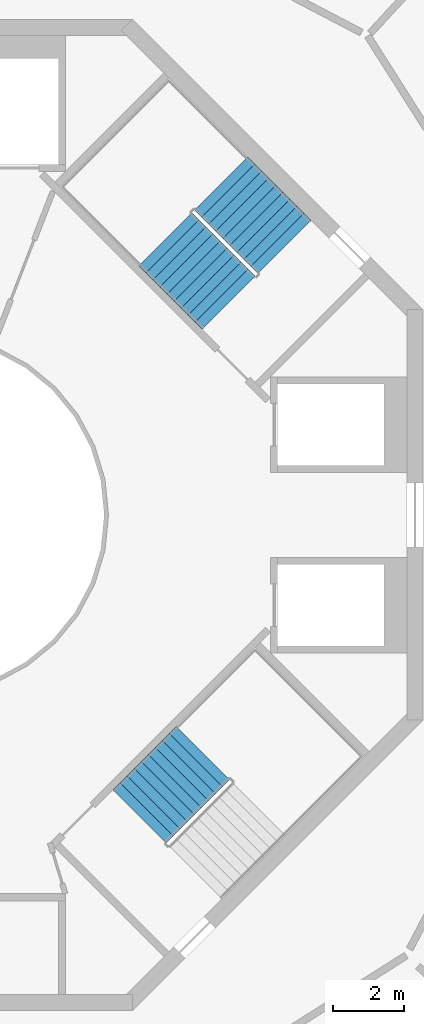
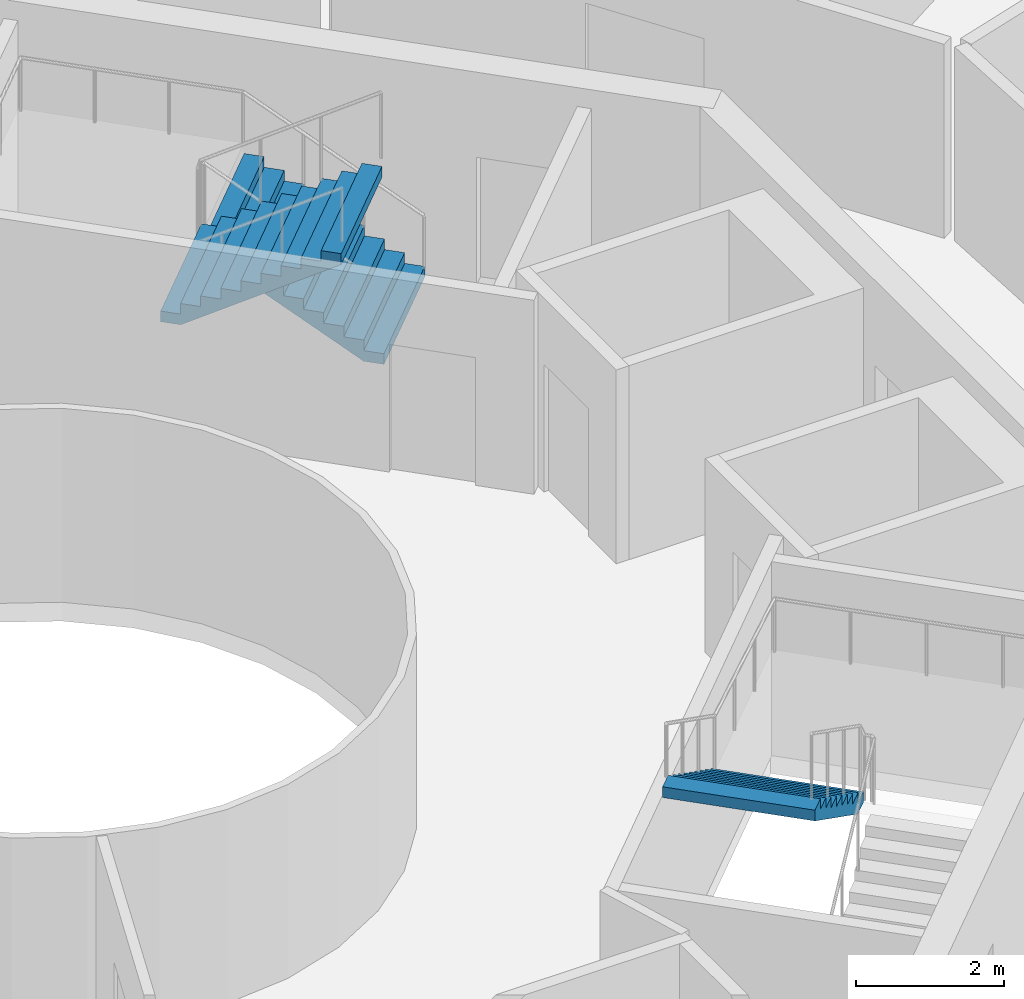
# One storey, part 22 of 23: 3 stair flights, 2 elements without a shape of their own.
"""IFC4 building model written with IfcOpenShell, lengths in metres."""

from ifc_helpers import new_model, si_unit, direction, frame, origin, place, context, subcontext, project, spatial, triangles, material, type_object, element, aggregate, save


model = new_model("IFC4")

# Units and contexts
model_context = context("Model", 3, precision=1e-05, world=origin(), true_north=direction((0.0, 1.0)))
body_context = subcontext(model_context, "Body", "Model", "MODEL_VIEW")
ifc_project = project(units=[si_unit("LENGTHUNIT", "METRE"), si_unit("AREAUNIT", "SQUARE_METRE"), si_unit("VOLUMEUNIT", "CUBIC_METRE"), si_unit("PLANEANGLEUNIT", "RADIAN"), si_unit("MASSUNIT", "GRAM", prefix="KILO")], contexts=[model_context])

# Site, building, storey
site_placement = place(None, origin())
site = spatial("IfcSite", under=ifc_project, at=site_placement, CompositionType="ELEMENT")
building_placement = place(site_placement, origin())
building = spatial("IfcBuilding", under=site, at=building_placement, Name="Verdalira Terraces Hotel", CompositionType="ELEMENT")
storey_placement = place(building_placement, frame((0.0, 0.0, 288.0)))
storey = spatial("IfcBuildingStorey", under=building, at=storey_placement, Name="L71", CompositionType="ELEMENT", Elevation=288.0)

# Stair, stair flights
ifc_material_1 = material(Name="Concrete C40", Category="concrete")
stair_type = type_object("IfcStairType", Name="Core stair 20 risers 2125 mm wide", PredefinedType="HALF_TURN_STAIR", material=ifc_material_1)
stair_1_placement = place(storey_placement, origin())
stair_1 = element("IfcStair", 1, at=stair_1_placement, inside=storey, type_object=stair_type, Name="L71 Exit stair ST1", PredefinedType="HALF_TURN_STAIR")
ifc_material_2 = material(Name="Concrete C40", Category="concrete")
stair_flight_type = type_object("IfcStairFlightType", Name="Core stair flight 20 risers 2125 mm wide", PredefinedType="STRAIGHT", material=ifc_material_2)
stair_flight_1_placement = place(storey_placement, frame((10.085205, 7.574951, 0.0), z_axis=(0.0, 0.0, 1.0), x_axis=(-0.707106781, 0.707106781, 0.0)))
stair_flight_1 = element("IfcStairFlight", 2, at=stair_flight_1_placement, type_object=stair_flight_type, Name="ST1 flight 1", NumberOfRisers=10, NumberOfTreads=9, PredefinedType="STRAIGHT", RiserHeight=0.175, TreadLength=0.28, context=body_context, shape_type="Tessellation", body=[
    triangles([(0.0, 1.0625, 0.0), (0.282715, 1.0625, 0.0), (2.52002, 1.0625, 1.398193), (0.0, -1.0625, 0.0), (0.282715, -1.0625, 0.0), (2.52002, -1.0625, 1.398193), (2.52002, 1.0625, 1.574951), (2.23999, 1.0625, 1.574951), (2.52002, -1.0625, 1.574951), (2.23999, -1.0625, 1.574951), (2.23999, 1.0625, 1.399902), (2.23999, -1.0625, 1.399902), (1.959961, 1.0625, 1.399902), (1.959961, -1.0625, 1.399902), (1.959961, 1.0625, 1.225098), (1.959961, -1.0625, 1.225098), (1.679932, 1.0625, 1.225098), (1.679932, 1.0625, 1.050049), (1.679932, -1.0625, 1.225098), (1.679932, -1.0625, 1.050049), (1.399902, 1.0625, 1.050049), (1.399902, 1.0625, 0.875), (1.399902, -1.0625, 1.050049), (1.399902, -1.0625, 0.875), (1.120117, 1.0625, 0.875), (1.120117, 1.0625, 0.699951), (1.120117, -1.0625, 0.875), (1.120117, -1.0625, 0.699951), (0.840088, 1.0625, 0.699951), (0.840088, 1.0625, 0.524902), (0.840088, -1.0625, 0.699951), (0.840088, -1.0625, 0.524902), (0.560059, 1.0625, 0.524902), (0.560059, 1.0625, 0.350098), (0.560059, -1.0625, 0.524902), (0.560059, -1.0625, 0.350098), (0.280029, 1.0625, 0.350098), (0.280029, 1.0625, 0.175049), (0.280029, -1.0625, 0.350098), (0.280029, -1.0625, 0.175049), (0.0, 1.0625, 0.175049), (0.0, -1.0625, 0.175049), (0.0, -0.996094, 0.0), (0.0, -0.996094, 0.175049), (0.0, -0.929688, 0.0), (0.0, -0.929688, 0.175049), (0.0, -0.863281, 0.0), (0.0, -0.863281, 0.175049), (0.0, -0.796875, 0.0), (0.0, -0.796875, 0.175049), (0.0, -0.730469, 0.0), (0.0, -0.730469, 0.175049), (0.0, -0.664062, 0.0), (0.0, -0.664062, 0.175049), (0.0, -0.597656, 0.0), (0.0, -0.597656, 0.175049), (0.0, -0.53125, 0.0), (0.0, -0.53125, 0.175049), (0.0, -0.464844, 0.0), (0.0, -0.464844, 0.175049), (0.0, -0.398438, 0.0), (0.0, -0.398438, 0.175049), (0.0, -0.332031, 0.0), (0.0, -0.332031, 0.175049), (0.0, -0.265625, 0.0), (0.0, -0.265625, 0.175049), (0.0, -0.199219, 0.0), (0.0, -0.199219, 0.175049), (0.0, -0.132812, 0.0), (0.0, -0.132812, 0.175049), (0.0, -0.066406, 0.0), (0.0, -0.066406, 0.175049), (0.0, 0.0, 0.0), (0.0, 0.0, 0.175049), (0.0, 0.066406, 0.0), (0.0, 0.066406, 0.175049), (0.0, 0.132812, 0.0), (0.0, 0.132812, 0.175049), (0.0, 0.199219, 0.0), (0.0, 0.199219, 0.175049), (0.0, 0.265625, 0.0), (0.0, 0.265625, 0.175049), (0.0, 0.332031, 0.0), (0.0, 0.332031, 0.175049), (0.0, 0.398438, 0.0), (0.0, 0.398438, 0.175049), (0.0, 0.464844, 0.0), (0.0, 0.464844, 0.175049), (0.0, 0.53125, 0.0), (0.0, 0.53125, 0.175049), (0.0, 0.597656, 0.0), (0.0, 0.597656, 0.175049), (0.0, 0.664062, 0.0), (0.0, 0.664062, 0.175049), (0.0, 0.730469, 0.0), (0.0, 0.730469, 0.175049), (0.0, 0.796875, 0.0), (0.0, 0.796875, 0.175049), (0.0, 0.863281, 0.0), (0.0, 0.863281, 0.175049), (0.0, 0.929688, 0.0), (0.0, 0.929688, 0.175049), (0.0, 0.996094, 0.0), (0.0, 0.996094, 0.175049), (2.52002, -0.996094, 1.574951), (2.52002, -0.929688, 1.574951), (2.52002, -0.863281, 1.574951), (2.52002, -0.796875, 1.574951), (2.52002, -0.730469, 1.574951), (2.52002, -0.664062, 1.574951), (2.52002, -0.597656, 1.574951), (2.52002, -0.53125, 1.574951), (2.52002, -0.464844, 1.574951), (2.52002, -0.398438, 1.574951), (2.52002, -0.332031, 1.574951), (2.52002, -0.265625, 1.574951), (2.52002, -0.199219, 1.574951), (2.52002, -0.132812, 1.574951), (2.52002, -0.066406, 1.574951), (2.52002, 0.0, 1.574951), (2.52002, 0.066406, 1.574951), (2.52002, 0.132812, 1.574951), (2.52002, 0.199219, 1.574951), (2.52002, 0.265625, 1.574951), (2.52002, 0.332031, 1.574951), (2.52002, 0.398438, 1.574951), (2.52002, 0.464844, 1.574951), (2.52002, 0.53125, 1.574951), (2.52002, 0.597656, 1.574951), (2.52002, 0.664062, 1.574951), (2.52002, 0.730469, 1.574951), (2.52002, 0.796875, 1.574951), (2.52002, 0.863281, 1.574951), (2.52002, 0.929688, 1.574951), (2.52002, 0.996094, 1.574951), (2.52002, -0.996094, 1.398193), (2.52002, -0.929688, 1.398193), (2.52002, -0.863281, 1.398193), (2.52002, -0.796875, 1.398193), (2.52002, -0.730469, 1.398193), (2.52002, -0.664062, 1.398193), (2.52002, -0.597656, 1.398193), (2.52002, -0.53125, 1.398193), (2.52002, -0.464844, 1.398193), (2.52002, -0.398438, 1.398193), (2.52002, -0.332031, 1.398193), (2.52002, -0.265625, 1.398193), (2.52002, -0.199219, 1.398193), (2.52002, -0.132812, 1.398193), (2.52002, -0.066406, 1.398193), (2.52002, 0.0, 1.398193), (2.52002, 0.066406, 1.398193), (2.52002, 0.132812, 1.398193), (2.52002, 0.199219, 1.398193), (2.52002, 0.265625, 1.398193), (2.52002, 0.332031, 1.398193), (2.52002, 0.398438, 1.398193), (2.52002, 0.464844, 1.398193), (2.52002, 0.53125, 1.398193), (2.52002, 0.597656, 1.398193), (2.52002, 0.664062, 1.398193), (2.52002, 0.730469, 1.398193), (2.52002, 0.796875, 1.398193), (2.52002, 0.863281, 1.398193), (2.52002, 0.929688, 1.398193), (2.52002, 0.996094, 1.398193)], [[1, 3, 2], [4, 5, 6], [3, 8, 7], [6, 9, 10], [3, 11, 8], [6, 10, 12], [3, 13, 11], [6, 12, 14], [3, 15, 13], [6, 14, 16], [15, 18, 17], [16, 19, 20], [3, 18, 15], [6, 16, 20], [18, 22, 21], [20, 23, 24], [3, 22, 18], [6, 20, 24], [22, 26, 25], [24, 27, 28], [3, 26, 22], [6, 24, 28], [26, 30, 29], [28, 31, 32], [3, 30, 26], [6, 28, 32], [1, 30, 3], [4, 6, 32], [30, 34, 33], [32, 35, 36], [34, 38, 37], [36, 39, 40], [30, 38, 34], [32, 36, 40], [1, 38, 30], [4, 32, 40], [38, 1, 41], [40, 42, 4], [4, 44, 43], [4, 42, 44], [43, 46, 45], [43, 44, 46], [45, 48, 47], [45, 46, 48], [47, 50, 49], [47, 48, 50], [49, 52, 51], [49, 50, 52], [51, 54, 53], [51, 52, 54], [53, 56, 55], [53, 54, 56], [55, 58, 57], [55, 56, 58], [57, 60, 59], [57, 58, 60], [59, 62, 61], [59, 60, 62], [61, 64, 63], [61, 62, 64], [63, 66, 65], [63, 64, 66], [65, 68, 67], [65, 66, 68], [67, 70, 69], [67, 68, 70], [69, 72, 71], [69, 70, 72], [71, 74, 73], [71, 72, 74], [73, 76, 75], [73, 74, 76], [75, 78, 77], [75, 76, 78], [77, 80, 79], [77, 78, 80], [79, 82, 81], [79, 80, 82], [81, 84, 83], [81, 82, 84], [83, 86, 85], [83, 84, 86], [85, 88, 87], [85, 86, 88], [87, 90, 89], [87, 88, 90], [89, 92, 91], [89, 90, 92], [91, 94, 93], [91, 92, 94], [93, 96, 95], [93, 94, 96], [95, 98, 97], [95, 96, 98], [97, 100, 99], [97, 98, 100], [99, 102, 101], [99, 100, 102], [101, 104, 103], [101, 102, 104], [103, 41, 1], [103, 104, 41], [42, 40, 44], [44, 40, 46], [46, 40, 48], [48, 40, 50], [50, 40, 52], [52, 40, 54], [54, 40, 56], [56, 40, 58], [58, 40, 60], [60, 40, 62], [62, 40, 64], [64, 40, 66], [66, 40, 68], [68, 40, 70], [70, 40, 72], [72, 40, 74], [74, 40, 76], [76, 40, 78], [78, 40, 80], [80, 40, 82], [82, 40, 84], [84, 40, 86], [86, 40, 88], [88, 40, 90], [90, 40, 92], [92, 40, 94], [94, 40, 96], [96, 40, 98], [98, 40, 100], [100, 40, 102], [102, 40, 104], [104, 40, 41], [41, 40, 38], [40, 37, 38], [40, 39, 37], [39, 34, 37], [39, 36, 34], [36, 33, 34], [36, 35, 33], [35, 30, 33], [35, 32, 30], [32, 29, 30], [32, 31, 29], [31, 26, 29], [31, 28, 26], [28, 25, 26], [28, 27, 25], [27, 22, 25], [27, 24, 22], [24, 21, 22], [24, 23, 21], [23, 18, 21], [23, 20, 18], [20, 17, 18], [20, 19, 17], [19, 15, 17], [19, 16, 15], [16, 13, 15], [16, 14, 13], [14, 11, 13], [14, 12, 11], [12, 8, 11], [12, 10, 8], [9, 105, 10], [105, 106, 10], [106, 107, 10], [107, 108, 10], [108, 109, 10], [109, 110, 10], [110, 111, 10], [111, 112, 10], [112, 113, 10], [113, 114, 10], [114, 115, 10], [115, 116, 10], [116, 117, 10], [117, 118, 10], [118, 119, 10], [119, 120, 10], [120, 121, 10], [121, 122, 10], [122, 123, 10], [123, 124, 10], [124, 125, 10], [125, 126, 10], [126, 127, 10], [127, 128, 10], [128, 129, 10], [129, 130, 10], [130, 131, 10], [131, 132, 10], [132, 133, 10], [133, 134, 10], [134, 135, 10], [135, 7, 10], [7, 8, 10], [9, 136, 105], [9, 6, 136], [105, 137, 106], [105, 136, 137], [106, 138, 107], [106, 137, 138], [107, 139, 108], [107, 138, 139], [108, 140, 109], [108, 139, 140], [109, 141, 110], [109, 140, 141], [110, 142, 111], [110, 141, 142], [111, 143, 112], [111, 142, 143], [112, 144, 113], [112, 143, 144], [113, 145, 114], [113, 144, 145], [114, 146, 115], [114, 145, 146], [115, 147, 116], [115, 146, 147], [116, 148, 117], [116, 147, 148], [117, 149, 118], [117, 148, 149], [118, 150, 119], [118, 149, 150], [119, 151, 120], [119, 150, 151], [120, 152, 121], [120, 151, 152], [121, 153, 122], [121, 152, 153], [122, 154, 123], [122, 153, 154], [123, 155, 124], [123, 154, 155], [124, 156, 125], [124, 155, 156], [125, 157, 126], [125, 156, 157], [126, 158, 127], [126, 157, 158], [127, 159, 128], [127, 158, 159], [128, 160, 129], [128, 159, 160], [129, 161, 130], [129, 160, 161], [130, 162, 131], [130, 161, 162], [131, 163, 132], [131, 162, 163], [132, 164, 133], [132, 163, 164], [133, 165, 134], [133, 164, 165], [134, 166, 135], [134, 165, 166], [135, 3, 7], [135, 166, 3], [6, 5, 136], [136, 5, 137], [137, 5, 138], [138, 5, 139], [139, 5, 140], [140, 5, 141], [141, 5, 142], [142, 5, 143], [143, 5, 144], [144, 5, 145], [145, 5, 146], [146, 5, 147], [147, 5, 148], [148, 5, 149], [149, 5, 150], [150, 5, 151], [151, 5, 152], [152, 5, 153], [153, 5, 154], [154, 5, 155], [155, 5, 156], [156, 5, 157], [157, 5, 158], [158, 5, 159], [159, 5, 160], [160, 5, 161], [161, 5, 162], [162, 5, 163], [163, 5, 164], [164, 5, 165], [165, 5, 166], [166, 5, 3], [3, 5, 2], [4, 43, 5], [43, 45, 5], [45, 47, 5], [47, 49, 5], [49, 51, 5], [51, 53, 5], [53, 55, 5], [55, 57, 5], [57, 59, 5], [59, 61, 5], [61, 63, 5], [63, 65, 5], [65, 67, 5], [67, 69, 5], [69, 71, 5], [71, 73, 5], [73, 75, 5], [75, 77, 5], [77, 79, 5], [79, 81, 5], [81, 83, 5], [83, 85, 5], [85, 87, 5], [87, 89, 5], [89, 91, 5], [91, 93, 5], [93, 95, 5], [95, 97, 5], [97, 99, 5], [99, 101, 5], [101, 103, 5], [103, 1, 5], [1, 2, 5]], closed=True),
])
stair_flight_2_placement = place(storey_placement, frame((6.72998, 7.783447, 1.75), z_axis=(0.0, 0.0, 1.0), x_axis=(0.707106781, -0.707106781, 0.0)))
stair_flight_2 = element("IfcStairFlight", 3, at=stair_flight_2_placement, type_object=stair_flight_type, Name="ST1 flight 2", NumberOfRisers=10, NumberOfTreads=9, PredefinedType="STRAIGHT", RiserHeight=0.175, TreadLength=0.28, context=body_context, shape_type="Tessellation", body=[
    triangles([(0.0, 1.0625, 0.0), (0.282715, 1.0625, 0.0), (2.52002, 1.0625, 1.398193), (0.0, -1.0625, 0.0), (0.282715, -1.0625, 0.0), (2.52002, -1.0625, 1.398193), (2.52002, 1.0625, 1.574951), (2.23999, 1.0625, 1.574951), (2.52002, -1.0625, 1.574951), (2.23999, -1.0625, 1.574951), (2.23999, 1.0625, 1.399902), (2.23999, -1.0625, 1.399902), (1.959961, 1.0625, 1.399902), (1.959961, -1.0625, 1.399902), (1.959961, 1.0625, 1.225098), (1.959961, -1.0625, 1.225098), (1.679932, 1.0625, 1.225098), (1.679932, 1.0625, 1.050049), (1.679932, -1.0625, 1.225098), (1.679932, -1.0625, 1.050049), (1.399902, 1.0625, 1.050049), (1.399902, 1.0625, 0.875), (1.399902, -1.0625, 1.050049), (1.399902, -1.0625, 0.875), (1.120117, 1.0625, 0.875), (1.120117, 1.0625, 0.699951), (1.120117, -1.0625, 0.875), (1.120117, -1.0625, 0.699951), (0.840088, 1.0625, 0.699951), (0.840088, 1.0625, 0.524902), (0.840088, -1.0625, 0.699951), (0.840088, -1.0625, 0.524902), (0.560059, 1.0625, 0.524902), (0.560059, 1.0625, 0.350098), (0.560059, -1.0625, 0.524902), (0.560059, -1.0625, 0.350098), (0.280029, 1.0625, 0.350098), (0.280029, 1.0625, 0.175049), (0.280029, -1.0625, 0.350098), (0.280029, -1.0625, 0.175049), (0.0, 1.0625, 0.175049), (0.0, -1.0625, 0.175049), (0.0, -0.996094, 0.0), (0.0, -0.996094, 0.175049), (0.0, -0.929688, 0.0), (0.0, -0.929688, 0.175049), (0.0, -0.863281, 0.0), (0.0, -0.863281, 0.175049), (0.0, -0.796875, 0.0), (0.0, -0.796875, 0.175049), (0.0, -0.730469, 0.0), (0.0, -0.730469, 0.175049), (0.0, -0.664062, 0.0), (0.0, -0.664062, 0.175049), (0.0, -0.597656, 0.0), (0.0, -0.597656, 0.175049), (0.0, -0.53125, 0.0), (0.0, -0.53125, 0.175049), (0.0, -0.464844, 0.0), (0.0, -0.464844, 0.175049), (0.0, -0.398438, 0.0), (0.0, -0.398438, 0.175049), (0.0, -0.332031, 0.0), (0.0, -0.332031, 0.175049), (0.0, -0.265625, 0.0), (0.0, -0.265625, 0.175049), (0.0, -0.199219, 0.0), (0.0, -0.199219, 0.175049), (0.0, -0.132812, 0.0), (0.0, -0.132812, 0.175049), (0.0, -0.066406, 0.0), (0.0, -0.066406, 0.175049), (0.0, 0.0, 0.0), (0.0, 0.0, 0.175049), (0.0, 0.066406, 0.0), (0.0, 0.066406, 0.175049), (0.0, 0.132812, 0.0), (0.0, 0.132812, 0.175049), (0.0, 0.199219, 0.0), (0.0, 0.199219, 0.175049), (0.0, 0.265625, 0.0), (0.0, 0.265625, 0.175049), (0.0, 0.332031, 0.0), (0.0, 0.332031, 0.175049), (0.0, 0.398438, 0.0), (0.0, 0.398438, 0.175049), (0.0, 0.464844, 0.0), (0.0, 0.464844, 0.175049), (0.0, 0.53125, 0.0), (0.0, 0.53125, 0.175049), (0.0, 0.597656, 0.0), (0.0, 0.597656, 0.175049), (0.0, 0.664062, 0.0), (0.0, 0.664062, 0.175049), (0.0, 0.730469, 0.0), (0.0, 0.730469, 0.175049), (0.0, 0.796875, 0.0), (0.0, 0.796875, 0.175049), (0.0, 0.863281, 0.0), (0.0, 0.863281, 0.175049), (0.0, 0.929688, 0.0), (0.0, 0.929688, 0.175049), (0.0, 0.996094, 0.0), (0.0, 0.996094, 0.175049), (2.52002, -0.996094, 1.574951), (2.52002, -0.929688, 1.574951), (2.52002, -0.863281, 1.574951), (2.52002, -0.796875, 1.574951), (2.52002, -0.730469, 1.574951), (2.52002, -0.664062, 1.574951), (2.52002, -0.597656, 1.574951), (2.52002, -0.53125, 1.574951), (2.52002, -0.464844, 1.574951), (2.52002, -0.398438, 1.574951), (2.52002, -0.332031, 1.574951), (2.52002, -0.265625, 1.574951), (2.52002, -0.199219, 1.574951), (2.52002, -0.132812, 1.574951), (2.52002, -0.066406, 1.574951), (2.52002, 0.0, 1.574951), (2.52002, 0.066406, 1.574951), (2.52002, 0.132812, 1.574951), (2.52002, 0.199219, 1.574951), (2.52002, 0.265625, 1.574951), (2.52002, 0.332031, 1.574951), (2.52002, 0.398438, 1.574951), (2.52002, 0.464844, 1.574951), (2.52002, 0.53125, 1.574951), (2.52002, 0.597656, 1.574951), (2.52002, 0.664062, 1.574951), (2.52002, 0.730469, 1.574951), (2.52002, 0.796875, 1.574951), (2.52002, 0.863281, 1.574951), (2.52002, 0.929688, 1.574951), (2.52002, 0.996094, 1.574951), (2.52002, -0.996094, 1.398193), (2.52002, -0.929688, 1.398193), (2.52002, -0.863281, 1.398193), (2.52002, -0.796875, 1.398193), (2.52002, -0.730469, 1.398193), (2.52002, -0.664062, 1.398193), (2.52002, -0.597656, 1.398193), (2.52002, -0.53125, 1.398193), (2.52002, -0.464844, 1.398193), (2.52002, -0.398438, 1.398193), (2.52002, -0.332031, 1.398193), (2.52002, -0.265625, 1.398193), (2.52002, -0.199219, 1.398193), (2.52002, -0.132812, 1.398193), (2.52002, -0.066406, 1.398193), (2.52002, 0.0, 1.398193), (2.52002, 0.066406, 1.398193), (2.52002, 0.132812, 1.398193), (2.52002, 0.199219, 1.398193), (2.52002, 0.265625, 1.398193), (2.52002, 0.332031, 1.398193), (2.52002, 0.398438, 1.398193), (2.52002, 0.464844, 1.398193), (2.52002, 0.53125, 1.398193), (2.52002, 0.597656, 1.398193), (2.52002, 0.664062, 1.398193), (2.52002, 0.730469, 1.398193), (2.52002, 0.796875, 1.398193), (2.52002, 0.863281, 1.398193), (2.52002, 0.929688, 1.398193), (2.52002, 0.996094, 1.398193)], [[1, 3, 2], [4, 5, 6], [3, 8, 7], [6, 9, 10], [3, 11, 8], [6, 10, 12], [3, 13, 11], [6, 12, 14], [3, 15, 13], [6, 14, 16], [15, 18, 17], [16, 19, 20], [3, 18, 15], [6, 16, 20], [18, 22, 21], [20, 23, 24], [3, 22, 18], [6, 20, 24], [22, 26, 25], [24, 27, 28], [3, 26, 22], [6, 24, 28], [26, 30, 29], [28, 31, 32], [3, 30, 26], [6, 28, 32], [1, 30, 3], [4, 6, 32], [30, 34, 33], [32, 35, 36], [34, 38, 37], [36, 39, 40], [30, 38, 34], [32, 36, 40], [1, 38, 30], [4, 32, 40], [38, 1, 41], [40, 42, 4], [4, 44, 43], [4, 42, 44], [43, 46, 45], [43, 44, 46], [45, 48, 47], [45, 46, 48], [47, 50, 49], [47, 48, 50], [49, 52, 51], [49, 50, 52], [51, 54, 53], [51, 52, 54], [53, 56, 55], [53, 54, 56], [55, 58, 57], [55, 56, 58], [57, 60, 59], [57, 58, 60], [59, 62, 61], [59, 60, 62], [61, 64, 63], [61, 62, 64], [63, 66, 65], [63, 64, 66], [65, 68, 67], [65, 66, 68], [67, 70, 69], [67, 68, 70], [69, 72, 71], [69, 70, 72], [71, 74, 73], [71, 72, 74], [73, 76, 75], [73, 74, 76], [75, 78, 77], [75, 76, 78], [77, 80, 79], [77, 78, 80], [79, 82, 81], [79, 80, 82], [81, 84, 83], [81, 82, 84], [83, 86, 85], [83, 84, 86], [85, 88, 87], [85, 86, 88], [87, 90, 89], [87, 88, 90], [89, 92, 91], [89, 90, 92], [91, 94, 93], [91, 92, 94], [93, 96, 95], [93, 94, 96], [95, 98, 97], [95, 96, 98], [97, 100, 99], [97, 98, 100], [99, 102, 101], [99, 100, 102], [101, 104, 103], [101, 102, 104], [103, 41, 1], [103, 104, 41], [42, 40, 44], [44, 40, 46], [46, 40, 48], [48, 40, 50], [50, 40, 52], [52, 40, 54], [54, 40, 56], [56, 40, 58], [58, 40, 60], [60, 40, 62], [62, 40, 64], [64, 40, 66], [66, 40, 68], [68, 40, 70], [70, 40, 72], [72, 40, 74], [74, 40, 76], [76, 40, 78], [78, 40, 80], [80, 40, 82], [82, 40, 84], [84, 40, 86], [86, 40, 88], [88, 40, 90], [90, 40, 92], [92, 40, 94], [94, 40, 96], [96, 40, 98], [98, 40, 100], [100, 40, 102], [102, 40, 104], [104, 40, 41], [41, 40, 38], [40, 37, 38], [40, 39, 37], [39, 34, 37], [39, 36, 34], [36, 33, 34], [36, 35, 33], [35, 30, 33], [35, 32, 30], [32, 29, 30], [32, 31, 29], [31, 26, 29], [31, 28, 26], [28, 25, 26], [28, 27, 25], [27, 22, 25], [27, 24, 22], [24, 21, 22], [24, 23, 21], [23, 18, 21], [23, 20, 18], [20, 17, 18], [20, 19, 17], [19, 15, 17], [19, 16, 15], [16, 13, 15], [16, 14, 13], [14, 11, 13], [14, 12, 11], [12, 8, 11], [12, 10, 8], [9, 105, 10], [105, 106, 10], [106, 107, 10], [107, 108, 10], [108, 109, 10], [109, 110, 10], [110, 111, 10], [111, 112, 10], [112, 113, 10], [113, 114, 10], [114, 115, 10], [115, 116, 10], [116, 117, 10], [117, 118, 10], [118, 119, 10], [119, 120, 10], [120, 121, 10], [121, 122, 10], [122, 123, 10], [123, 124, 10], [124, 125, 10], [125, 126, 10], [126, 127, 10], [127, 128, 10], [128, 129, 10], [129, 130, 10], [130, 131, 10], [131, 132, 10], [132, 133, 10], [133, 134, 10], [134, 135, 10], [135, 7, 10], [7, 8, 10], [9, 136, 105], [9, 6, 136], [105, 137, 106], [105, 136, 137], [106, 138, 107], [106, 137, 138], [107, 139, 108], [107, 138, 139], [108, 140, 109], [108, 139, 140], [109, 141, 110], [109, 140, 141], [110, 142, 111], [110, 141, 142], [111, 143, 112], [111, 142, 143], [112, 144, 113], [112, 143, 144], [113, 145, 114], [113, 144, 145], [114, 146, 115], [114, 145, 146], [115, 147, 116], [115, 146, 147], [116, 148, 117], [116, 147, 148], [117, 149, 118], [117, 148, 149], [118, 150, 119], [118, 149, 150], [119, 151, 120], [119, 150, 151], [120, 152, 121], [120, 151, 152], [121, 153, 122], [121, 152, 153], [122, 154, 123], [122, 153, 154], [123, 155, 124], [123, 154, 155], [124, 156, 125], [124, 155, 156], [125, 157, 126], [125, 156, 157], [126, 158, 127], [126, 157, 158], [127, 159, 128], [127, 158, 159], [128, 160, 129], [128, 159, 160], [129, 161, 130], [129, 160, 161], [130, 162, 131], [130, 161, 162], [131, 163, 132], [131, 162, 163], [132, 164, 133], [132, 163, 164], [133, 165, 134], [133, 164, 165], [134, 166, 135], [134, 165, 166], [135, 3, 7], [135, 166, 3], [6, 5, 136], [136, 5, 137], [137, 5, 138], [138, 5, 139], [139, 5, 140], [140, 5, 141], [141, 5, 142], [142, 5, 143], [143, 5, 144], [144, 5, 145], [145, 5, 146], [146, 5, 147], [147, 5, 148], [148, 5, 149], [149, 5, 150], [150, 5, 151], [151, 5, 152], [152, 5, 153], [153, 5, 154], [154, 5, 155], [155, 5, 156], [156, 5, 157], [157, 5, 158], [158, 5, 159], [159, 5, 160], [160, 5, 161], [161, 5, 162], [162, 5, 163], [163, 5, 164], [164, 5, 165], [165, 5, 166], [166, 5, 3], [3, 5, 2], [4, 43, 5], [43, 45, 5], [45, 47, 5], [47, 49, 5], [49, 51, 5], [51, 53, 5], [53, 55, 5], [55, 57, 5], [57, 59, 5], [59, 61, 5], [61, 63, 5], [63, 65, 5], [65, 67, 5], [67, 69, 5], [69, 71, 5], [71, 73, 5], [73, 75, 5], [75, 77, 5], [77, 79, 5], [79, 81, 5], [81, 83, 5], [83, 85, 5], [85, 87, 5], [87, 89, 5], [89, 91, 5], [91, 93, 5], [93, 95, 5], [95, 97, 5], [97, 99, 5], [99, 101, 5], [101, 103, 5], [103, 1, 5], [1, 2, 5]], closed=True),
])
aggregate(stair_1, [stair_flight_1, stair_flight_2])

# Stair, stair flight
stair_2_placement = place(storey_placement, origin())
stair_2 = element("IfcStair", 4, at=stair_2_placement, inside=storey, type_object=stair_type, Name="L71 Exit stair ST3", PredefinedType="HALF_TURN_STAIR")
stair_flight_3_placement = place(storey_placement, frame((7.783447, -6.72998, 1.75), z_axis=(0.0, 0.0, 1.0), x_axis=(-0.707106781, -0.707106781, 0.0)))
stair_flight_3 = element("IfcStairFlight", 5, at=stair_flight_3_placement, type_object=stair_flight_type, Name="ST3 flight 2", NumberOfRisers=10, NumberOfTreads=9, PredefinedType="STRAIGHT", RiserHeight=0.175, TreadLength=0.28, context=body_context, shape_type="Tessellation", body=[
    triangles([(0.0, 1.0625, 0.0), (0.282715, 1.0625, 0.0), (2.52002, 1.0625, 1.398193), (0.0, -1.0625, 0.0), (0.282715, -1.0625, 0.0), (2.52002, -1.0625, 1.398193), (2.52002, 1.0625, 1.574951), (2.23999, 1.0625, 1.574951), (2.52002, -1.0625, 1.574951), (2.23999, -1.0625, 1.574951), (2.23999, 1.0625, 1.399902), (2.23999, -1.0625, 1.399902), (1.959961, 1.0625, 1.399902), (1.959961, -1.0625, 1.399902), (1.959961, 1.0625, 1.225098), (1.959961, -1.0625, 1.225098), (1.679932, 1.0625, 1.225098), (1.679932, 1.0625, 1.050049), (1.679932, -1.0625, 1.225098), (1.679932, -1.0625, 1.050049), (1.399902, 1.0625, 1.050049), (1.399902, 1.0625, 0.875), (1.399902, -1.0625, 1.050049), (1.399902, -1.0625, 0.875), (1.120117, 1.0625, 0.875), (1.120117, 1.0625, 0.699951), (1.120117, -1.0625, 0.875), (1.120117, -1.0625, 0.699951), (0.840088, 1.0625, 0.699951), (0.840088, 1.0625, 0.524902), (0.840088, -1.0625, 0.699951), (0.840088, -1.0625, 0.524902), (0.560059, 1.0625, 0.524902), (0.560059, 1.0625, 0.350098), (0.560059, -1.0625, 0.524902), (0.560059, -1.0625, 0.350098), (0.280029, 1.0625, 0.350098), (0.280029, 1.0625, 0.175049), (0.280029, -1.0625, 0.350098), (0.280029, -1.0625, 0.175049), (0.0, 1.0625, 0.175049), (0.0, -1.0625, 0.175049), (0.0, -0.996094, 0.0), (0.0, -0.996094, 0.175049), (0.0, -0.929688, 0.0), (0.0, -0.929688, 0.175049), (0.0, -0.863281, 0.0), (0.0, -0.863281, 0.175049), (0.0, -0.796875, 0.0), (0.0, -0.796875, 0.175049), (0.0, -0.730469, 0.0), (0.0, -0.730469, 0.175049), (0.0, -0.664062, 0.0), (0.0, -0.664062, 0.175049), (0.0, -0.597656, 0.0), (0.0, -0.597656, 0.175049), (0.0, -0.53125, 0.0), (0.0, -0.53125, 0.175049), (0.0, -0.464844, 0.0), (0.0, -0.464844, 0.175049), (0.0, -0.398438, 0.0), (0.0, -0.398438, 0.175049), (0.0, -0.332031, 0.0), (0.0, -0.332031, 0.175049), (0.0, -0.265625, 0.0), (0.0, -0.265625, 0.175049), (0.0, -0.199219, 0.0), (0.0, -0.199219, 0.175049), (0.0, -0.132812, 0.0), (0.0, -0.132812, 0.175049), (0.0, -0.066406, 0.0), (0.0, -0.066406, 0.175049), (0.0, 0.0, 0.0), (0.0, 0.0, 0.175049), (0.0, 0.066406, 0.0), (0.0, 0.066406, 0.175049), (0.0, 0.132812, 0.0), (0.0, 0.132812, 0.175049), (0.0, 0.199219, 0.0), (0.0, 0.199219, 0.175049), (0.0, 0.265625, 0.0), (0.0, 0.265625, 0.175049), (0.0, 0.332031, 0.0), (0.0, 0.332031, 0.175049), (0.0, 0.398438, 0.0), (0.0, 0.398438, 0.175049), (0.0, 0.464844, 0.0), (0.0, 0.464844, 0.175049), (0.0, 0.53125, 0.0), (0.0, 0.53125, 0.175049), (0.0, 0.597656, 0.0), (0.0, 0.597656, 0.175049), (0.0, 0.664062, 0.0), (0.0, 0.664062, 0.175049), (0.0, 0.730469, 0.0), (0.0, 0.730469, 0.175049), (0.0, 0.796875, 0.0), (0.0, 0.796875, 0.175049), (0.0, 0.863281, 0.0), (0.0, 0.863281, 0.175049), (0.0, 0.929688, 0.0), (0.0, 0.929688, 0.175049), (0.0, 0.996094, 0.0), (0.0, 0.996094, 0.175049), (2.52002, -0.996094, 1.574951), (2.52002, -0.929688, 1.574951), (2.52002, -0.863281, 1.574951), (2.52002, -0.796875, 1.574951), (2.52002, -0.730469, 1.574951), (2.52002, -0.664062, 1.574951), (2.52002, -0.597656, 1.574951), (2.52002, -0.53125, 1.574951), (2.52002, -0.464844, 1.574951), (2.52002, -0.398438, 1.574951), (2.52002, -0.332031, 1.574951), (2.52002, -0.265625, 1.574951), (2.52002, -0.199219, 1.574951), (2.52002, -0.132812, 1.574951), (2.52002, -0.066406, 1.574951), (2.52002, 0.0, 1.574951), (2.52002, 0.066406, 1.574951), (2.52002, 0.132812, 1.574951), (2.52002, 0.199219, 1.574951), (2.52002, 0.265625, 1.574951), (2.52002, 0.332031, 1.574951), (2.52002, 0.398438, 1.574951), (2.52002, 0.464844, 1.574951), (2.52002, 0.53125, 1.574951), (2.52002, 0.597656, 1.574951), (2.52002, 0.664062, 1.574951), (2.52002, 0.730469, 1.574951), (2.52002, 0.796875, 1.574951), (2.52002, 0.863281, 1.574951), (2.52002, 0.929688, 1.574951), (2.52002, 0.996094, 1.574951), (2.52002, -0.996094, 1.398193), (2.52002, -0.929688, 1.398193), (2.52002, -0.863281, 1.398193), (2.52002, -0.796875, 1.398193), (2.52002, -0.730469, 1.398193), (2.52002, -0.664062, 1.398193), (2.52002, -0.597656, 1.398193), (2.52002, -0.53125, 1.398193), (2.52002, -0.464844, 1.398193), (2.52002, -0.398438, 1.398193), (2.52002, -0.332031, 1.398193), (2.52002, -0.265625, 1.398193), (2.52002, -0.199219, 1.398193), (2.52002, -0.132812, 1.398193), (2.52002, -0.066406, 1.398193), (2.52002, 0.0, 1.398193), (2.52002, 0.066406, 1.398193), (2.52002, 0.132812, 1.398193), (2.52002, 0.199219, 1.398193), (2.52002, 0.265625, 1.398193), (2.52002, 0.332031, 1.398193), (2.52002, 0.398438, 1.398193), (2.52002, 0.464844, 1.398193), (2.52002, 0.53125, 1.398193), (2.52002, 0.597656, 1.398193), (2.52002, 0.664062, 1.398193), (2.52002, 0.730469, 1.398193), (2.52002, 0.796875, 1.398193), (2.52002, 0.863281, 1.398193), (2.52002, 0.929688, 1.398193), (2.52002, 0.996094, 1.398193)], [[1, 3, 2], [4, 5, 6], [3, 8, 7], [6, 9, 10], [3, 11, 8], [6, 10, 12], [3, 13, 11], [6, 12, 14], [3, 15, 13], [6, 14, 16], [15, 18, 17], [16, 19, 20], [3, 18, 15], [6, 16, 20], [18, 22, 21], [20, 23, 24], [3, 22, 18], [6, 20, 24], [22, 26, 25], [24, 27, 28], [3, 26, 22], [6, 24, 28], [26, 30, 29], [28, 31, 32], [3, 30, 26], [6, 28, 32], [1, 30, 3], [4, 6, 32], [30, 34, 33], [32, 35, 36], [34, 38, 37], [36, 39, 40], [30, 38, 34], [32, 36, 40], [1, 38, 30], [4, 32, 40], [38, 1, 41], [40, 42, 4], [4, 44, 43], [4, 42, 44], [43, 46, 45], [43, 44, 46], [45, 48, 47], [45, 46, 48], [47, 50, 49], [47, 48, 50], [49, 52, 51], [49, 50, 52], [51, 54, 53], [51, 52, 54], [53, 56, 55], [53, 54, 56], [55, 58, 57], [55, 56, 58], [57, 60, 59], [57, 58, 60], [59, 62, 61], [59, 60, 62], [61, 64, 63], [61, 62, 64], [63, 66, 65], [63, 64, 66], [65, 68, 67], [65, 66, 68], [67, 70, 69], [67, 68, 70], [69, 72, 71], [69, 70, 72], [71, 74, 73], [71, 72, 74], [73, 76, 75], [73, 74, 76], [75, 78, 77], [75, 76, 78], [77, 80, 79], [77, 78, 80], [79, 82, 81], [79, 80, 82], [81, 84, 83], [81, 82, 84], [83, 86, 85], [83, 84, 86], [85, 88, 87], [85, 86, 88], [87, 90, 89], [87, 88, 90], [89, 92, 91], [89, 90, 92], [91, 94, 93], [91, 92, 94], [93, 96, 95], [93, 94, 96], [95, 98, 97], [95, 96, 98], [97, 100, 99], [97, 98, 100], [99, 102, 101], [99, 100, 102], [101, 104, 103], [101, 102, 104], [103, 41, 1], [103, 104, 41], [42, 40, 44], [44, 40, 46], [46, 40, 48], [48, 40, 50], [50, 40, 52], [52, 40, 54], [54, 40, 56], [56, 40, 58], [58, 40, 60], [60, 40, 62], [62, 40, 64], [64, 40, 66], [66, 40, 68], [68, 40, 70], [70, 40, 72], [72, 40, 74], [74, 40, 76], [76, 40, 78], [78, 40, 80], [80, 40, 82], [82, 40, 84], [84, 40, 86], [86, 40, 88], [88, 40, 90], [90, 40, 92], [92, 40, 94], [94, 40, 96], [96, 40, 98], [98, 40, 100], [100, 40, 102], [102, 40, 104], [104, 40, 41], [41, 40, 38], [40, 37, 38], [40, 39, 37], [39, 34, 37], [39, 36, 34], [36, 33, 34], [36, 35, 33], [35, 30, 33], [35, 32, 30], [32, 29, 30], [32, 31, 29], [31, 26, 29], [31, 28, 26], [28, 25, 26], [28, 27, 25], [27, 22, 25], [27, 24, 22], [24, 21, 22], [24, 23, 21], [23, 18, 21], [23, 20, 18], [20, 17, 18], [20, 19, 17], [19, 15, 17], [19, 16, 15], [16, 13, 15], [16, 14, 13], [14, 11, 13], [14, 12, 11], [12, 8, 11], [12, 10, 8], [9, 105, 10], [105, 106, 10], [106, 107, 10], [107, 108, 10], [108, 109, 10], [109, 110, 10], [110, 111, 10], [111, 112, 10], [112, 113, 10], [113, 114, 10], [114, 115, 10], [115, 116, 10], [116, 117, 10], [117, 118, 10], [118, 119, 10], [119, 120, 10], [120, 121, 10], [121, 122, 10], [122, 123, 10], [123, 124, 10], [124, 125, 10], [125, 126, 10], [126, 127, 10], [127, 128, 10], [128, 129, 10], [129, 130, 10], [130, 131, 10], [131, 132, 10], [132, 133, 10], [133, 134, 10], [134, 135, 10], [135, 7, 10], [7, 8, 10], [9, 136, 105], [9, 6, 136], [105, 137, 106], [105, 136, 137], [106, 138, 107], [106, 137, 138], [107, 139, 108], [107, 138, 139], [108, 140, 109], [108, 139, 140], [109, 141, 110], [109, 140, 141], [110, 142, 111], [110, 141, 142], [111, 143, 112], [111, 142, 143], [112, 144, 113], [112, 143, 144], [113, 145, 114], [113, 144, 145], [114, 146, 115], [114, 145, 146], [115, 147, 116], [115, 146, 147], [116, 148, 117], [116, 147, 148], [117, 149, 118], [117, 148, 149], [118, 150, 119], [118, 149, 150], [119, 151, 120], [119, 150, 151], [120, 152, 121], [120, 151, 152], [121, 153, 122], [121, 152, 153], [122, 154, 123], [122, 153, 154], [123, 155, 124], [123, 154, 155], [124, 156, 125], [124, 155, 156], [125, 157, 126], [125, 156, 157], [126, 158, 127], [126, 157, 158], [127, 159, 128], [127, 158, 159], [128, 160, 129], [128, 159, 160], [129, 161, 130], [129, 160, 161], [130, 162, 131], [130, 161, 162], [131, 163, 132], [131, 162, 163], [132, 164, 133], [132, 163, 164], [133, 165, 134], [133, 164, 165], [134, 166, 135], [134, 165, 166], [135, 3, 7], [135, 166, 3], [6, 5, 136], [136, 5, 137], [137, 5, 138], [138, 5, 139], [139, 5, 140], [140, 5, 141], [141, 5, 142], [142, 5, 143], [143, 5, 144], [144, 5, 145], [145, 5, 146], [146, 5, 147], [147, 5, 148], [148, 5, 149], [149, 5, 150], [150, 5, 151], [151, 5, 152], [152, 5, 153], [153, 5, 154], [154, 5, 155], [155, 5, 156], [156, 5, 157], [157, 5, 158], [158, 5, 159], [159, 5, 160], [160, 5, 161], [161, 5, 162], [162, 5, 163], [163, 5, 164], [164, 5, 165], [165, 5, 166], [166, 5, 3], [3, 5, 2], [4, 43, 5], [43, 45, 5], [45, 47, 5], [47, 49, 5], [49, 51, 5], [51, 53, 5], [53, 55, 5], [55, 57, 5], [57, 59, 5], [59, 61, 5], [61, 63, 5], [63, 65, 5], [65, 67, 5], [67, 69, 5], [69, 71, 5], [71, 73, 5], [73, 75, 5], [75, 77, 5], [77, 79, 5], [79, 81, 5], [81, 83, 5], [83, 85, 5], [85, 87, 5], [87, 89, 5], [89, 91, 5], [91, 93, 5], [93, 95, 5], [95, 97, 5], [97, 99, 5], [99, 101, 5], [101, 103, 5], [103, 1, 5], [1, 2, 5]], closed=True),
])
aggregate(stair_2, [stair_flight_3])

save(model, "model.ifc")
